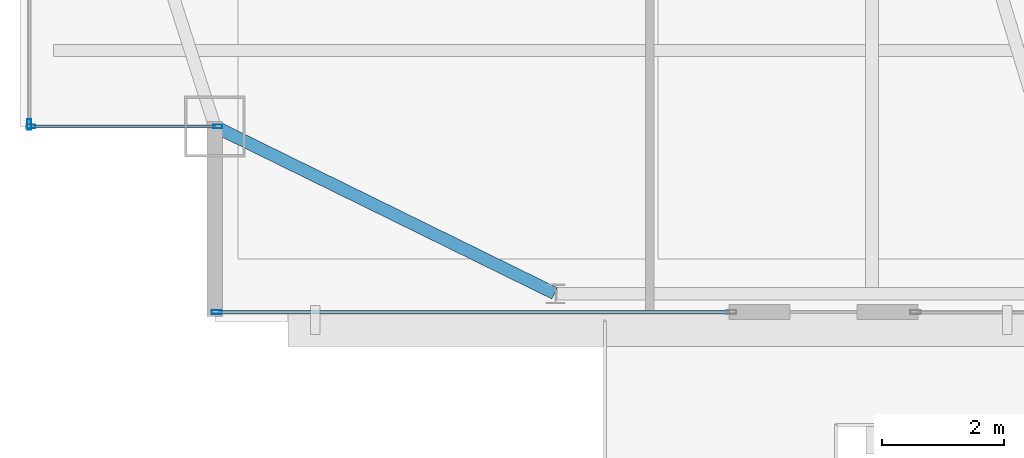
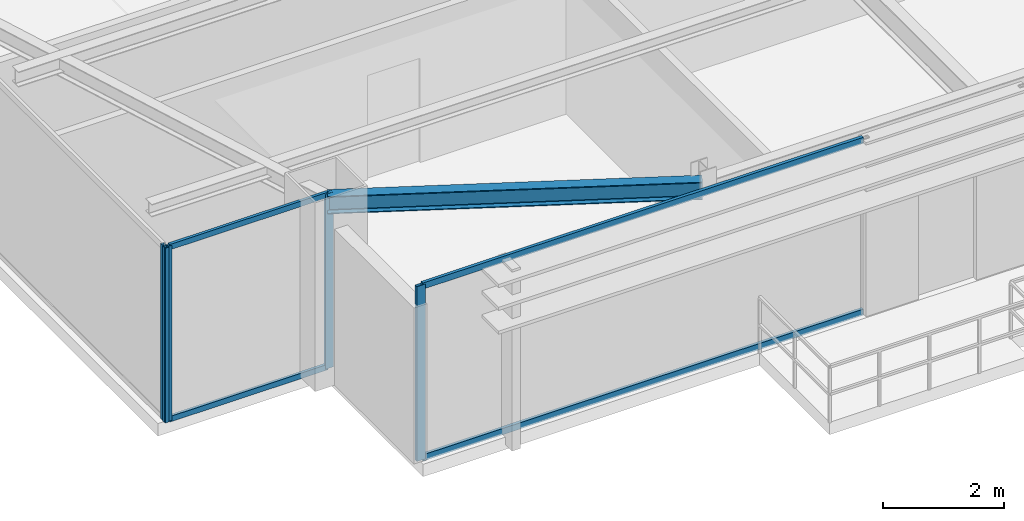
# One storey, part 3 of 21: 8 members, 1 beam, 3 elements without a shape of their own.
"""IFC4 building model written with IfcOpenShell, lengths in metres."""

from ifc_helpers import new_model, si_unit, direction, frame, origin, origin_2d, place, context, subcontext, project, spatial, hollow_rectangle, i_section, extrude, source, transform, mapped, material, layer, layer_set, material_profile, profile_set, type_object, type_shapes, element, aggregate, save


model = new_model("IFC4")

# Units and contexts
model_context = context("Model", 3, precision=1e-05, world=origin(), true_north=direction((0.0, 1.0)))
body_context = subcontext(model_context, "Body", "Model", "MODEL_VIEW")
ifc_project = project(units=[si_unit("LENGTHUNIT", "METRE"), si_unit("AREAUNIT", "SQUARE_METRE"), si_unit("VOLUMEUNIT", "CUBIC_METRE"), si_unit("PLANEANGLEUNIT", "RADIAN"), si_unit("MASSUNIT", "GRAM", prefix="KILO")], contexts=[model_context])

# Site, building, storey
site_placement = place(None, origin())
site = spatial("IfcSite", under=ifc_project, at=site_placement, CompositionType="ELEMENT")
building_placement = place(site_placement, origin())
building = spatial("IfcBuilding", under=site, at=building_placement, Name="Varnel Quay Broadcast Tower", CompositionType="ELEMENT")
storey_placement = place(building_placement, frame((0.0, 0.0, 296.39990234375)))
storey = spatial("IfcBuildingStorey", under=building, at=storey_placement, Name="L74", CompositionType="ELEMENT", Elevation=296.39990234375)

# Beam
ifc_material_1 = material(Name="Structural Steel CSA G40.21 350W", Category="steel")
ifc_material_profile_1 = material_profile(ifc_material_1, i_section(OverallWidth=0.205078125, OverallDepth=0.35400390625, WebThickness=0.009521484375, FlangeThickness=0.016845703125, FilletRadius=0.012939453125, at=origin_2d()), Name="W360X79")
ifc_profile_set_1 = profile_set([ifc_material_profile_1], Name="Structural Steel CSA G40.21 350W")
beam_type = type_object("IfcBeamType", Name="Beam_W360X79", PredefinedType="SPANDREL", material=ifc_profile_set_1)
shared_shape_1 = source(origin(), body_context, "Body", "SweptSolid", [
    extrude(i_section(OverallWidth=0.205078125, OverallDepth=0.35400390625, WebThickness=0.009521484375, FlangeThickness=0.016845703125, FilletRadius=0.012939453125, at=origin_2d()), origin(), (0.0, 0.0, 1.0), 6.19873046875),
])
type_shapes(beam_type, [shared_shape_1])
beam_placement = place(storey_placement, frame((15.218017578125, 16.39111328125, 3.343017578125), z_axis=(0.897602447358, -0.440805905697, 0.0), x_axis=(0.440805905697, 0.897602447358, 0.0)))
element("IfcBeam", 1, at=beam_placement, inside=storey, type_object=beam_type, Name="L74 South Spandrel MC-SW-TC-S1", PredefinedType="SPANDREL", context=body_context, shape_type="MappedRepresentation", body=[
    mapped(shared_shape_1, transform((0.0, 0.0, 0.0), x_axis=(1.0, 0.0, 0.0), y_axis=(0.0, 1.0, 0.0), z_axis=(0.0, 0.0, 1.0), scale=1.0)),
])

# Curtain wall, members
ifc_material_2 = material(Name="Anodised Bronze Aluminium 6063-T6", Category="aluminium")
ifc_layer_1 = layer(ifc_material_2, 0.18994140625, Name="Anodised Bronze Aluminium 6063-T6")
ifc_layer_set_1 = layer_set([ifc_layer_1], Name="Anodised Bronze Aluminium 6063-T6")
curtain_wall_type_1 = type_object("IfcCurtainWallType", Name="CW_NotchCorner", PredefinedType="NOTDEFINED", material=ifc_layer_set_1)
curtain_wall_1_placement = place(storey_placement, origin())
curtain_wall_1 = element("IfcCurtainWall", 2, at=curtain_wall_1_placement, inside=storey, type_object=curtain_wall_type_1, Name="L74 SW Notch Curtain Wall", PredefinedType="NOTDEFINED")
ifc_material_profile_2 = material_profile(ifc_material_2, hollow_rectangle(XDim=0.06005859375, YDim=0.14501953125, WallThickness=0.00341796875, at=origin_2d()), Name="ALU60X145X3.5")
ifc_profile_set_2 = profile_set([ifc_material_profile_2], Name="Anodised Bronze Aluminium 6063-T6")
member_type_1 = type_object("IfcMemberType", Name="Mull_CWS-04", PredefinedType="MULLION", material=ifc_profile_set_2)
shared_shape_2 = source(origin(), body_context, "Body", "SweptSolid", [
    extrude(hollow_rectangle(XDim=0.06005859375, YDim=0.14501953125, WallThickness=0.00341796875, at=origin_2d()), origin(), (0.0, 0.0, 1.0), 3.52001953125),
])
type_shapes(member_type_1, [shared_shape_2])
member_1_placement = place(storey_placement, frame((12.179931640625, 16.39990234375, 0.0), z_axis=(0.0, 0.0, 1.0), x_axis=(0.0, 1.0, 0.0)))
member_1 = element("IfcMember", 3, at=member_1_placement, type_object=member_type_1, Name="CWS-04 mullion 1", PredefinedType="MULLION", context=body_context, shape_type="MappedRepresentation", body=[
    mapped(shared_shape_2, transform((0.0, 0.0, 0.0), x_axis=(1.0, 0.0, 0.0), y_axis=(0.0, 1.0, 0.0), z_axis=(0.0, 0.0, 1.0), scale=1.0)),
])
member_2_placement = place(storey_placement, frame((15.25, 16.39990234375, 0.0), z_axis=(0.0, 0.0, 1.0), x_axis=(0.0, 1.0, 0.0)))
member_2 = element("IfcMember", 4, at=member_2_placement, type_object=member_type_1, Name="CWS-04 mullion 2", PredefinedType="MULLION", context=body_context, shape_type="MappedRepresentation", body=[
    mapped(shared_shape_2, transform((0.0, 0.0, 0.0), x_axis=(1.0, 0.0, 0.0), y_axis=(0.0, 1.0, 0.0), z_axis=(0.0, 0.0, 1.0), scale=1.0)),
])

# Curtain wall, member
ifc_layer_2 = layer(ifc_material_2, 0.18994140625, Name="Anodised Bronze Aluminium 6063-T6")
ifc_layer_set_2 = layer_set([ifc_layer_2], Name="Anodised Bronze Aluminium 6063-T6")
curtain_wall_type_2 = type_object("IfcCurtainWallType", Name="CW_UpperTower", PredefinedType="NOTDEFINED", material=ifc_layer_set_2)
curtain_wall_2_placement = place(storey_placement, origin())
curtain_wall_2 = element("IfcCurtainWall", 5, at=curtain_wall_2_placement, inside=storey, type_object=curtain_wall_type_2, Name="L74 South Unitised Curtain Wall 1", PredefinedType="NOTDEFINED")
ifc_material_profile_3 = material_profile(ifc_material_2, hollow_rectangle(XDim=0.06494140625, YDim=0.1650390625, WallThickness=0.00341796875, at=origin_2d()), Name="ALU65X165X3.5")
ifc_profile_set_3 = profile_set([ifc_material_profile_3], Name="Anodised Bronze Aluminium 6063-T6")
member_type_2 = type_object("IfcMemberType", Name="Mull_CWS-03", PredefinedType="MULLION", material=ifc_profile_set_3)
shared_shape_3 = source(origin(), body_context, "Body", "SweptSolid", [
    extrude(hollow_rectangle(XDim=0.06494140625, YDim=0.1650390625, WallThickness=0.00341796875, at=origin_2d()), origin(), (0.0, 0.0, 1.0), 3.52001953125),
])
type_shapes(member_type_2, [shared_shape_3])
member_3_placement = place(storey_placement, frame((15.232421875, 13.35009765625, 0.0), z_axis=(0.0, 0.0, 1.0), x_axis=(0.0, 1.0, 0.0)))
member_3 = element("IfcMember", 6, at=member_3_placement, type_object=member_type_2, Name="CWS-03 mullion 1", PredefinedType="MULLION", context=body_context, shape_type="MappedRepresentation", body=[
    mapped(shared_shape_3, transform((0.0, 0.0, 0.0), x_axis=(1.0, 0.0, 0.0), y_axis=(0.0, 1.0, 0.0), z_axis=(0.0, 0.0, 1.0), scale=1.0)),
])

curtain_wall_3_placement = place(storey_placement, origin())
curtain_wall_3 = element("IfcCurtainWall", 7, at=curtain_wall_3_placement, inside=storey, type_object=curtain_wall_type_2, Name="L74 West Unitised Curtain Wall", PredefinedType="NOTDEFINED")
member_4_placement = place(storey_placement, frame((12.14990234375, 16.4326171875, 0.0), z_axis=(0.0, 0.0, 1.0), x_axis=(-1.0, 0.0, 0.0)))
member_4 = element("IfcMember", 8, at=member_4_placement, type_object=member_type_2, Name="CWS-03 mullion 1", PredefinedType="MULLION", context=body_context, shape_type="MappedRepresentation", body=[
    mapped(shared_shape_3, transform((0.0, 0.0, 0.0), x_axis=(1.0, 0.0, 0.0), y_axis=(0.0, 1.0, 0.0), z_axis=(0.0, 0.0, 1.0), scale=1.0)),
])
aggregate(curtain_wall_3, [member_4])

# Member
ifc_material_profile_4 = material_profile(ifc_material_2, hollow_rectangle(XDim=0.06005859375, YDim=0.125, WallThickness=0.0029296875, at=origin_2d()), Name="ALU60X125X3")
ifc_profile_set_4 = profile_set([ifc_material_profile_4], Name="Anodised Bronze Aluminium 6063-T6")
member_type_3 = type_object("IfcMemberType", Name="Tran_CWS-03", PredefinedType="USERDEFINED", material=ifc_profile_set_4)
shared_shape_4 = source(origin(), body_context, "Body", "SweptSolid", [
    extrude(hollow_rectangle(XDim=0.06005859375, YDim=0.125, WallThickness=0.0029296875, at=origin_2d()), origin(), (0.0, 0.0, 1.0), 8.39013671875),
])
type_shapes(member_type_3, [shared_shape_4])
member_5_placement = place(storey_placement, frame((15.264892578125, 13.35009765625, 0.030029296875), z_axis=(1.0, 0.0, 0.0), x_axis=(0.0, 1.0, 0.0)))
member_5 = element("IfcMember", 9, at=member_5_placement, type_object=member_type_3, Name="CWS-03 transom 1.1", ObjectType="TRANSOM", PredefinedType="USERDEFINED", context=body_context, shape_type="MappedRepresentation", body=[
    mapped(shared_shape_4, transform((0.0, 0.0, 0.0), x_axis=(1.0, 0.0, 0.0), y_axis=(0.0, 1.0, 0.0), z_axis=(0.0, 0.0, 1.0), scale=1.0)),
])

member_6_placement = place(storey_placement, frame((15.264892578125, 13.35009765625, 3.489990234375), z_axis=(1.0, 0.0, 0.0), x_axis=(0.0, 1.0, 0.0)))
member_6 = element("IfcMember", 10, at=member_6_placement, type_object=member_type_3, Name="CWS-03 transom 1.2", ObjectType="TRANSOM", PredefinedType="USERDEFINED", context=body_context, shape_type="MappedRepresentation", body=[
    mapped(shared_shape_4, transform((0.0, 0.0, 0.0), x_axis=(1.0, 0.0, 0.0), y_axis=(0.0, 1.0, 0.0), z_axis=(0.0, 0.0, 1.0), scale=1.0)),
])

aggregate(curtain_wall_2, [member_3, member_5, member_6])

ifc_material_profile_5 = material_profile(ifc_material_2, hollow_rectangle(XDim=0.054931640625, YDim=0.110107421875, WallThickness=0.0029296875, at=origin_2d()), Name="ALU55X110X3")
ifc_profile_set_5 = profile_set([ifc_material_profile_5], Name="Anodised Bronze Aluminium 6063-T6")
member_type_4 = type_object("IfcMemberType", Name="Tran_CWS-04", PredefinedType="USERDEFINED", material=ifc_profile_set_5)
shared_shape_5 = source(origin(), body_context, "Body", "SweptSolid", [
    extrude(hollow_rectangle(XDim=0.054931640625, YDim=0.110107421875, WallThickness=0.0029296875, at=origin_2d()), origin(), (0.0, 0.0, 1.0), 3.010009765625),
])
type_shapes(member_type_4, [shared_shape_5])
member_7_placement = place(storey_placement, frame((12.2099609375, 16.39990234375, 0.027587890625), z_axis=(1.0, 0.0, 0.0), x_axis=(0.0, 1.0, 0.0)))
member_7 = element("IfcMember", 11, at=member_7_placement, type_object=member_type_4, Name="CWS-04 transom 1.1", ObjectType="TRANSOM", PredefinedType="USERDEFINED", context=body_context, shape_type="MappedRepresentation", body=[
    mapped(shared_shape_5, transform((0.0, 0.0, 0.0), x_axis=(1.0, 0.0, 0.0), y_axis=(0.0, 1.0, 0.0), z_axis=(0.0, 0.0, 1.0), scale=1.0)),
])

member_8_placement = place(storey_placement, frame((12.2099609375, 16.39990234375, 3.49267578125), z_axis=(1.0, 0.0, 0.0), x_axis=(0.0, 1.0, 0.0)))
member_8 = element("IfcMember", 12, at=member_8_placement, type_object=member_type_4, Name="CWS-04 transom 1.2", ObjectType="TRANSOM", PredefinedType="USERDEFINED", context=body_context, shape_type="MappedRepresentation", body=[
    mapped(shared_shape_5, transform((0.0, 0.0, 0.0), x_axis=(1.0, 0.0, 0.0), y_axis=(0.0, 1.0, 0.0), z_axis=(0.0, 0.0, 1.0), scale=1.0)),
])

aggregate(curtain_wall_1, [member_1, member_2, member_7, member_8])

save(model, "model.ifc")
